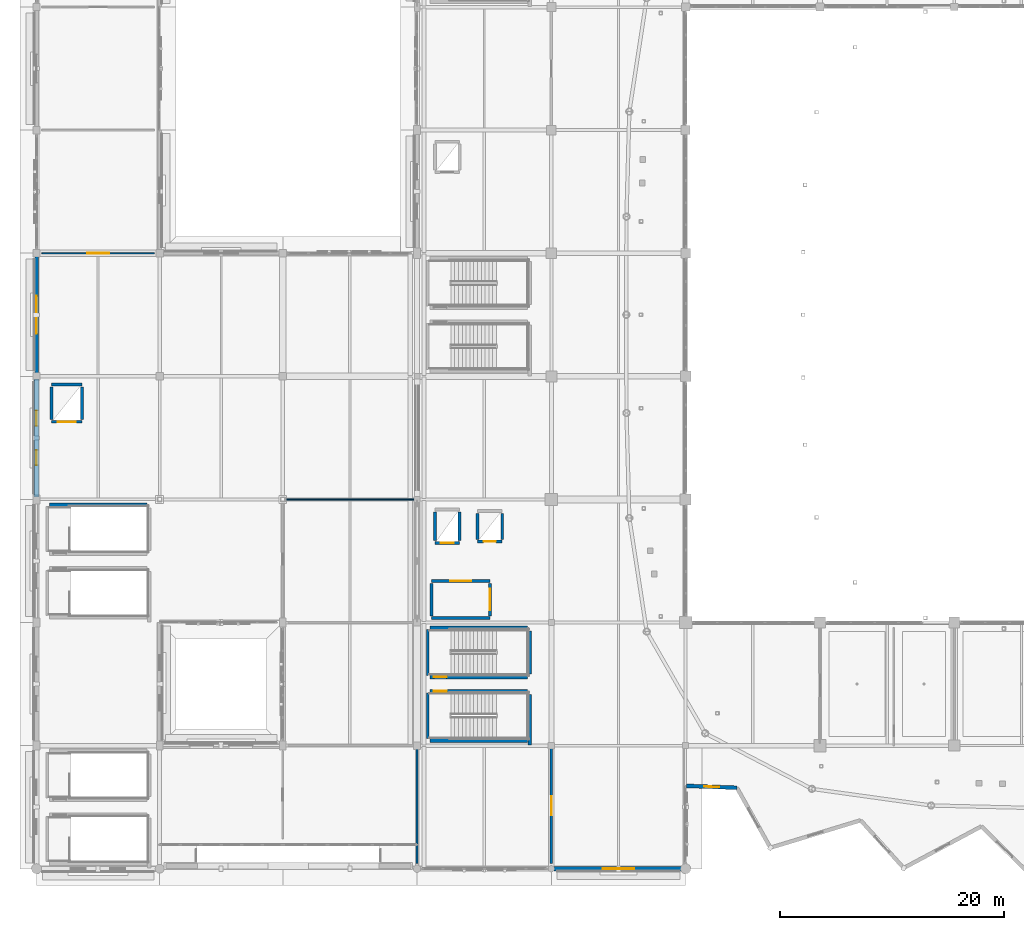
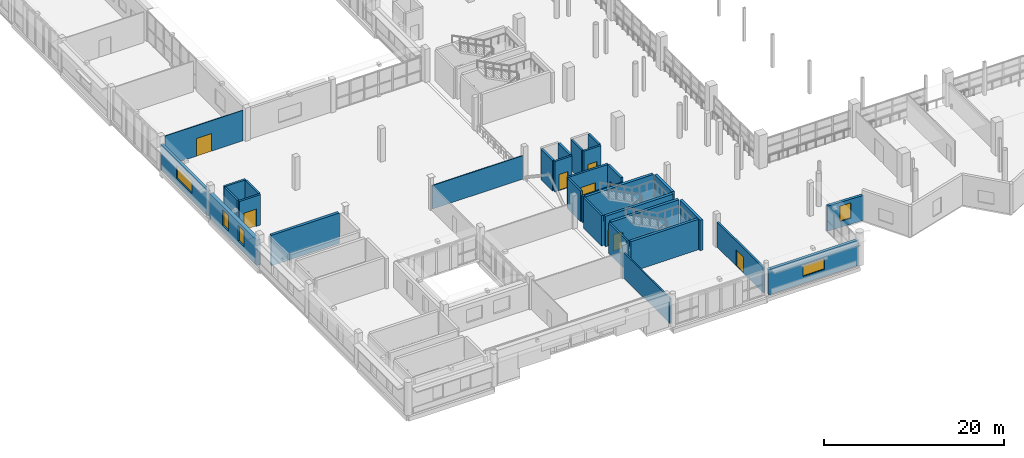
# One storey, part 80 of 118: 31 walls, 9 doors, 5 windows, 14 openings.
"""IFC4 building model written with IfcOpenShell, lengths in metres."""

from ifc_helpers import new_model, si_unit, direction, frame, frame_2d, origin, place, context, subcontext, project, spatial, rectangle, extrude, material, layer, layer_set, type_object, element, fill, save


model = new_model("IFC4")

# Units and contexts
model_context = context("Model", 3, precision=1e-05, world=origin(), true_north=direction((0.0, 1.0)))
body_context = subcontext(model_context, "Body", "Model", "MODEL_VIEW")
ifc_project = project(units=[si_unit("LENGTHUNIT", "METRE"), si_unit("AREAUNIT", "SQUARE_METRE"), si_unit("VOLUMEUNIT", "CUBIC_METRE"), si_unit("PLANEANGLEUNIT", "RADIAN"), si_unit("MASSUNIT", "GRAM", prefix="KILO")], contexts=[model_context])

# Site, building, storey
site_placement = place(None, origin())
site = spatial("IfcSite", under=ifc_project, at=site_placement, CompositionType="ELEMENT")
building_placement = place(site_placement, origin())
building = spatial("IfcBuilding", under=site, at=building_placement, Name="Luwafu Chhajja Arena", CompositionType="ELEMENT")
storey_placement = place(building_placement, frame((0.0, 0.0, 10.199951171875)))
storey = spatial("IfcBuildingStorey", under=building, at=storey_placement, Name="L02", CompositionType="ELEMENT", Elevation=10.199951171875)

# Wall, opening, door
ifc_material_1 = material(Name="Concrete blockwork masonry", Category="masonry")
ifc_layer_1 = layer(ifc_material_1, 0.239990234375, Name="Concrete blockwork masonry")
ifc_layer_set_1 = layer_set([ifc_layer_1], Name="Concrete blockwork masonry")
wall_type_1 = type_object("IfcWallType", Name="Compartment Masonry Partition 240", PredefinedType="PARTITIONING", material=ifc_layer_set_1)
wall_1_placement = place(storey_placement, frame((46.0, 0.47998046875, 0.0), z_axis=(0.0, 0.0, 1.0), x_axis=(0.0, 1.0, 0.0)))
wall_1 = element("IfcWall", 1, at=wall_1_placement, inside=storey, type_object=wall_type_1, Name="L02 Internal Partition 0275", PredefinedType="PARTITIONING", context=body_context, shape_type="SweptSolid", body=[
    extrude(rectangle(XDim=10.300048828125, YDim=0.239990234375, at=frame_2d((5.14990234375, 0.0))), origin(), (0.0, 0.0, 1.0), 3.39013671875),
])
opening_1_placement = place(wall_1_placement, frame((4.31005859375, 0.0, 0.0)))
opening_1 = element("IfcOpeningElement", 2, at=opening_1_placement, cuts=wall_1, Name="Opening DR-11", PredefinedType="OPENING", context=body_context, shape_type="SweptSolid", body=[
    extrude(rectangle(XDim=1.679931640625, YDim=2.199951171875, at=frame_2d((0.83984375, 1.10009765625))), frame((0.0, 0.1298828125, 0.0), z_axis=(0.0, -1.0, 0.0), x_axis=(1.0, 0.0, 0.0)), (0.0, 0.0, 1.0), 0.260009765625),
])
ifc_material_2 = material(Name="Powder-coated steel fire leaf", Category="steel")
door_type_1 = type_object("IfcDoorType", Name="DR-11", OperationType="DOUBLE_DOOR_SINGLE_SWING", PredefinedType="DOOR", material=ifc_material_2)
door_1_placement = place(opening_1_placement, origin())
door_1 = element("IfcDoor", 3, at=door_1_placement, inside=storey, type_object=door_type_1, Name="L02 Interior Door L02-D033", OperationType="DOUBLE_DOOR_SINGLE_SWING", OverallHeight=2.199951171875, OverallWidth=1.679931640625, PredefinedType="DOOR", context=body_context, shape_type="SweptSolid", body=[
    extrude(rectangle(XDim=1.679931640625, YDim=2.199951171875, at=frame_2d((0.83984375, 1.10009765625))), frame((0.0, 0.02490234375, 0.0), z_axis=(0.0, -1.0, 0.0), x_axis=(1.0, 0.0, 0.0)), (0.0, 0.0, 1.0), 0.050048828125),
])
fill(opening_1, door_1)

ifc_material_3 = material(Name="Gypsum plasterboard partition")
ifc_layer_2 = layer(ifc_material_3, 0.10009765625, Name="Gypsum plasterboard partition")
ifc_layer_set_2 = layer_set([ifc_layer_2], Name="Gypsum plasterboard partition")
wall_type_2 = type_object("IfcWallType", Name="Drywall Lining Partition 100", PredefinedType="PARTITIONING", material=ifc_layer_set_2)
wall_2_placement = place(storey_placement, frame((0.47998046875, 55.0, 0.0), z_axis=(0.0, 0.0, 1.0), x_axis=(1.0, 0.0, 0.0)))
wall_2 = element("IfcWall", 4, at=wall_2_placement, inside=storey, type_object=wall_type_2, Name="L02 Internal Partition 0268", PredefinedType="PARTITIONING", context=body_context, shape_type="SweptSolid", body=[
    extrude(rectangle(XDim=10.0400390625, YDim=0.10009765625, at=frame_2d((5.02001953125, 0.0))), origin(), (0.0, 0.0, 1.0), 4.14013671875),
])
opening_2_placement = place(wall_2_placement, frame((4.044921875, 0.0, 0.0)))
opening_2 = element("IfcOpeningElement", 5, at=opening_2_placement, cuts=wall_2, Name="Opening DR-25", PredefinedType="OPENING", context=body_context, shape_type="SweptSolid", body=[
    extrude(rectangle(XDim=1.949951171875, YDim=2.39990234375, at=frame_2d((0.97509765625, 1.199951171875))), frame((0.0, 0.06005859375, 0.0), z_axis=(0.0, -1.0, 0.0), x_axis=(1.0, 0.0, 0.0)), (0.0, 0.0, 1.0), 0.1201171875),
])
ifc_material_4 = material(Name="Anodised bronze glazed double door")
door_type_2 = type_object("IfcDoorType", Name="DR-25", OperationType="DOUBLE_DOOR_SINGLE_SWING", PredefinedType="DOOR", material=ifc_material_4)
door_2_placement = place(opening_2_placement, origin())
door_2 = element("IfcDoor", 6, at=door_2_placement, inside=storey, type_object=door_type_2, Name="L02 Interior Door L02-D029", OperationType="DOUBLE_DOOR_SINGLE_SWING", OverallHeight=2.39990234375, OverallWidth=1.949951171875, PredefinedType="DOOR", context=body_context, shape_type="SweptSolid", body=[
    extrude(rectangle(XDim=1.949951171875, YDim=2.39990234375, at=frame_2d((0.97509765625, 1.199951171875))), frame((0.0, 0.02490234375, 0.0), z_axis=(0.0, -1.0, 0.0), x_axis=(1.0, 0.0, 0.0)), (0.0, 0.0, 1.0), 0.050048828125),
])
fill(opening_2, door_2)

ifc_material_5 = material(Name="Concrete C40/50", Category="concrete")
ifc_layer_3 = layer(ifc_material_5, 0.260009765625, Name="Concrete C40/50")
ifc_layer_set_3 = layer_set([ifc_layer_3], Name="Concrete C40/50")
wall_type_3 = type_object("IfcWallType", Name="Firefighting Lobby Wall 260", PredefinedType="SOLIDWALL", material=ifc_layer_set_3)
wall_3_placement = place(storey_placement, frame((35.300048828125, 25.699951171875, 0.0), z_axis=(0.0, 0.0, 1.0), x_axis=(1.0, 0.0, 0.0)))
wall_3 = element("IfcWall", 7, at=wall_3_placement, inside=storey, type_object=wall_type_3, Name="L02 Core C1 Firefighting Lobby Wall N", PredefinedType="SOLIDWALL", context=body_context, shape_type="SweptSolid", body=[
    extrude(rectangle(XDim=5.199951171875, YDim=0.260009765625, at=frame_2d((2.60009765625, 0.0))), origin(), (0.0, 0.0, 1.0), 4.14013671875),
])
opening_3_placement = place(wall_3_placement, frame((1.64990234375, 0.0, 0.0)))
opening_3 = element("IfcOpeningElement", 8, at=opening_3_placement, cuts=wall_3, Name="Opening DR-07", PredefinedType="OPENING", context=body_context, shape_type="SweptSolid", body=[
    extrude(rectangle(XDim=1.89990234375, YDim=2.199951171875, at=frame_2d((0.949951171875, 1.10009765625))), frame((0.0, 0.139892578125, 0.0), z_axis=(0.0, -1.0, 0.0), x_axis=(1.0, 0.0, 0.0)), (0.0, 0.0, 1.0), 0.280029296875),
])
ifc_material_6 = material(Name="Fire-rated hardwood and vision panel", Category="wood")
door_type_3 = type_object("IfcDoorType", Name="DR-07", OperationType="DOUBLE_DOOR_SINGLE_SWING", PredefinedType="DOOR", material=ifc_material_6)
door_3_placement = place(opening_3_placement, origin())
door_3 = element("IfcDoor", 9, at=door_3_placement, inside=storey, type_object=door_type_3, Name="L02 Firefighting Lobby C1 Door L02-D003", OperationType="DOUBLE_DOOR_SINGLE_SWING", OverallHeight=2.199951171875, OverallWidth=1.89990234375, PredefinedType="DOOR", context=body_context, shape_type="SweptSolid", body=[
    extrude(rectangle(XDim=1.89990234375, YDim=2.199951171875, at=frame_2d((0.949951171875, 1.10009765625))), frame((0.0, 0.02490234375, 0.0), z_axis=(0.0, -1.0, 0.0), x_axis=(1.0, 0.0, 0.0)), (0.0, 0.0, 1.0), 0.050048828125),
])
fill(opening_3, door_3)

# Walls
wall_4_placement = place(storey_placement, frame((35.300048828125, 22.39990234375, 0.0), z_axis=(0.0, 0.0, 1.0), x_axis=(1.0, 0.0, 0.0)))
element("IfcWall", 10, at=wall_4_placement, inside=storey, type_object=wall_type_3, Name="L02 Core C1 Firefighting Lobby Wall S", PredefinedType="SOLIDWALL", context=body_context, shape_type="SweptSolid", body=[
    extrude(rectangle(XDim=5.199951171875, YDim=0.260009765625, at=frame_2d((2.60009765625, 0.0))), origin(), (0.0, 0.0, 1.0), 3.590087890625),
])
wall_5_placement = place(storey_placement, frame((35.300048828125, 22.60009765625, 0.0), z_axis=(0.0, 0.0, 1.0), x_axis=(0.0, 1.0, 0.0)))
element("IfcWall", 11, at=wall_5_placement, inside=storey, type_object=wall_type_3, Name="L02 Core C1 Firefighting Lobby Wall W", PredefinedType="SOLIDWALL", context=body_context, shape_type="SweptSolid", body=[
    extrude(rectangle(XDim=2.89990234375, YDim=0.260009765625, at=frame_2d((1.449951171875, 0.0))), origin(), (0.0, 0.0, 1.0), 4.14013671875),
])

# Wall, opening, door
wall_6_placement = place(storey_placement, frame((40.5, 22.60009765625, 0.0), z_axis=(0.0, 0.0, 1.0), x_axis=(0.0, 1.0, 0.0)))
wall_6 = element("IfcWall", 12, at=wall_6_placement, inside=storey, type_object=wall_type_3, Name="L02 Core C1 Firefighting Lobby Wall E", PredefinedType="SOLIDWALL", context=body_context, shape_type="SweptSolid", body=[
    extrude(rectangle(XDim=2.89990234375, YDim=0.260009765625, at=frame_2d((1.449951171875, 0.0))), origin(), (0.0, 0.0, 1.0), 4.14013671875),
])
opening_4_placement = place(wall_6_placement, frame((0.5, 0.0, 0.0)))
opening_4 = element("IfcOpeningElement", 13, at=opening_4_placement, cuts=wall_6, Name="Opening DR-07", PredefinedType="OPENING", context=body_context, shape_type="SweptSolid", body=[
    extrude(rectangle(XDim=1.89990234375, YDim=2.199951171875, at=frame_2d((0.949951171875, 1.10009765625))), frame((0.0, 0.139892578125, 0.0), z_axis=(0.0, -1.0, 0.0), x_axis=(1.0, 0.0, 0.0)), (0.0, 0.0, 1.0), 0.280029296875),
])
door_4_placement = place(opening_4_placement, origin())
door_4 = element("IfcDoor", 14, at=door_4_placement, inside=storey, type_object=door_type_3, Name="L02 Firefighting Lobby C1 Door L02-D004", OperationType="DOUBLE_DOOR_SINGLE_SWING", OverallHeight=2.199951171875, OverallWidth=1.89990234375, PredefinedType="DOOR", context=body_context, shape_type="SweptSolid", body=[
    extrude(rectangle(XDim=1.89990234375, YDim=2.199951171875, at=frame_2d((0.949951171875, 1.10009765625))), frame((0.0, 0.02490234375, 0.0), z_axis=(0.0, -1.0, 0.0), x_axis=(1.0, 0.0, 0.0)), (0.0, 0.0, 1.0), 0.050048828125),
])
fill(opening_4, door_4)

# Walls
ifc_layer_4 = layer(ifc_material_1, 0.179931640625, Name="Concrete blockwork masonry")
ifc_layer_set_4 = layer_set([ifc_layer_4], Name="Concrete blockwork masonry")
wall_type_4 = type_object("IfcWallType", Name="Hospitality Suite Partition 180", PredefinedType="PARTITIONING", material=ifc_layer_set_4)
wall_7_placement = place(storey_placement, frame((34.0, 0.47998046875, 0.0), z_axis=(0.0, 0.0, 1.0), x_axis=(0.0, 1.0, 0.0)))
element("IfcWall", 15, at=wall_7_placement, inside=storey, type_object=wall_type_4, Name="L02 Internal Partition 0286", PredefinedType="PARTITIONING", context=body_context, shape_type="SweptSolid", body=[
    extrude(rectangle(XDim=10.300048828125, YDim=0.179931640625, at=frame_2d((5.14990234375, 0.0))), origin(), (0.0, 0.0, 1.0), 3.405029296875),
])
ifc_material_7 = material(Name="Acoustic metal-stud gypsum board")
ifc_layer_5 = layer(ifc_material_7, 0.1201171875, Name="Acoustic metal-stud gypsum board")
ifc_layer_set_5 = layer_set([ifc_layer_5], Name="Acoustic metal-stud gypsum board")
wall_type_5 = type_object("IfcWallType", Name="Internal Room Partition 120", PredefinedType="PARTITIONING", material=ifc_layer_set_5)
wall_8_placement = place(storey_placement, frame((22.159912109375, 33.0, 0.0), z_axis=(0.0, 0.0, 1.0), x_axis=(1.0, 0.0, 0.0)))
element("IfcWall", 16, at=wall_8_placement, inside=storey, type_object=wall_type_5, Name="L02 Internal Partition 0274", PredefinedType="PARTITIONING", context=body_context, shape_type="SweptSolid", body=[
    extrude(rectangle(XDim=11.6201171875, YDim=0.1201171875, at=frame_2d((5.81005859375, 0.0))), origin(), (0.0, 0.0, 1.0), 3.18994140625),
])

# Wall, opening, door
ifc_material_8 = material(Name="Concrete C35/45", Category="concrete")
ifc_layer_6 = layer(ifc_material_8, 0.260009765625, Name="Concrete C35/45")
ifc_layer_set_6 = layer_set([ifc_layer_6], Name="Concrete C35/45")
wall_type_6 = type_object("IfcWallType", Name="Lift and Riser Shaft Wall 260", PredefinedType="SOLIDWALL", material=ifc_layer_set_6)
wall_9_placement = place(storey_placement, frame((35.590087890625, 29.114990234375, 0.0), z_axis=(0.0, 0.0, 1.0), x_axis=(1.0, 0.0, 0.0)))
wall_9 = element("IfcWall", 17, at=wall_9_placement, inside=storey, type_object=wall_type_6, Name="L02 Lift LF-01 Shaft Wall S", PredefinedType="SOLIDWALL", context=body_context, shape_type="SweptSolid", body=[
    extrude(rectangle(XDim=2.219970703125, YDim=0.260009765625, at=frame_2d((1.10986328125, 0.0))), origin(), (0.0, 0.0, 1.0), 4.14013671875),
])
opening_5_placement = place(wall_9_placement, frame((0.510009765625, 0.0, 0.0)))
opening_5 = element("IfcOpeningElement", 18, at=opening_5_placement, cuts=wall_9, Name="Opening LD-02", PredefinedType="OPENING", context=body_context, shape_type="SweptSolid", body=[
    extrude(rectangle(XDim=1.199951171875, YDim=2.199951171875, at=frame_2d((0.60009765625, 1.10009765625))), frame((0.0, 0.139892578125, 0.0), z_axis=(0.0, -1.0, 0.0), x_axis=(1.0, 0.0, 0.0)), (0.0, 0.0, 1.0), 0.280029296875),
])
ifc_material_9 = material(Name="Brushed stainless steel sliding leaves", Category="steel")
door_type_4 = type_object("IfcDoorType", Name="LD-02", OperationType="SLIDING_TO_LEFT", PredefinedType="DOOR", material=ifc_material_9)
door_5_placement = place(opening_5_placement, origin())
door_5 = element("IfcDoor", 19, at=door_5_placement, inside=storey, type_object=door_type_4, Name="L02 Lift LF-01 Landing Door L02-LD01", OperationType="SLIDING_TO_LEFT", OverallHeight=2.199951171875, OverallWidth=1.199951171875, PredefinedType="DOOR", context=body_context, shape_type="SweptSolid", body=[
    extrude(rectangle(XDim=1.199951171875, YDim=2.199951171875, at=frame_2d((0.60009765625, 1.10009765625))), frame((0.0, 0.02490234375, 0.0), z_axis=(0.0, -1.0, 0.0), x_axis=(1.0, 0.0, 0.0)), (0.0, 0.0, 1.0), 0.050048828125),
])
fill(opening_5, door_5)

# Walls
for number, where, z_axis, x_axis, name in (
    (20, (35.590087890625, 29.31494140625, 0.0), (0.0, 0.0, 1.0), (0.0, 1.0, 0.0), "L02 Lift LF-01 Shaft Wall W"),
    (21, (37.81005859375, 29.31494140625, 0.0), (0.0, 0.0, 1.0), (0.0, 1.0, 0.0), "L02 Lift LF-01 Shaft Wall E"),
):
    element("IfcWall", number, at=place(storey_placement, frame(where, z_axis=z_axis, x_axis=x_axis)), inside=storey, type_object=wall_type_6, Name=name, PredefinedType="SOLIDWALL", context=body_context, shape_type="SweptSolid", body=[
        extrude(rectangle(XDim=2.570068359375, YDim=0.260009765625, at=frame_2d((1.28515625, 0.0))), origin(), (0.0, 0.0, 1.0), 4.14013671875),
    ])

# Wall, opening, door
wall_10_placement = place(storey_placement, frame((39.389892578125, 29.239990234375, 0.0), z_axis=(0.0, 0.0, 1.0), x_axis=(1.0, 0.0, 0.0)))
wall_10 = element("IfcWall", 22, at=wall_10_placement, inside=storey, type_object=wall_type_6, Name="L02 Lift LF-05 Shaft Wall S", PredefinedType="SOLIDWALL", context=body_context, shape_type="SweptSolid", body=[
    extrude(rectangle(XDim=2.22021484375, YDim=0.260009765625, at=frame_2d((1.110107421875, 0.0))), origin(), (0.0, 0.0, 1.0), 4.14013671875),
])
opening_6_placement = place(wall_10_placement, frame((0.56005859375, 0.0, 0.0)))
opening_6 = element("IfcOpeningElement", 23, at=opening_6_placement, cuts=wall_10, Name="Opening LD-01", PredefinedType="OPENING", context=body_context, shape_type="SweptSolid", body=[
    extrude(rectangle(XDim=1.10009765625, YDim=2.14990234375, at=frame_2d((0.550048828125, 1.074951171875))), frame((0.0, 0.139892578125, 0.0), z_axis=(0.0, -1.0, 0.0), x_axis=(1.0, 0.0, 0.0)), (0.0, 0.0, 1.0), 0.280029296875),
])
door_type_5 = type_object("IfcDoorType", Name="LD-01", OperationType="SLIDING_TO_LEFT", PredefinedType="DOOR", material=ifc_material_9)
door_6_placement = place(opening_6_placement, origin())
door_6 = element("IfcDoor", 24, at=door_6_placement, inside=storey, type_object=door_type_5, Name="L02 Lift LF-05 Landing Door L02-LD02", OperationType="SLIDING_TO_LEFT", OverallHeight=2.14990234375, OverallWidth=1.10009765625, PredefinedType="DOOR", context=body_context, shape_type="SweptSolid", body=[
    extrude(rectangle(XDim=1.10009765625, YDim=2.14990234375, at=frame_2d((0.550048828125, 1.074951171875))), frame((0.0, 0.02490234375, 0.0), z_axis=(0.0, -1.0, 0.0), x_axis=(1.0, 0.0, 0.0)), (0.0, 0.0, 1.0), 0.050048828125),
])
fill(opening_6, door_6)

# Walls
for number, where, z_axis, x_axis, name in (
    (25, (39.389892578125, 29.43994140625, 0.0), (0.0, 0.0, 1.0), (0.0, 1.0, 0.0), "L02 Lift LF-05 Shaft Wall W"),
    (26, (41.610107421875, 29.43994140625, 0.0), (0.0, 0.0, 1.0), (0.0, 1.0, 0.0), "L02 Lift LF-05 Shaft Wall E"),
):
    element("IfcWall", number, at=place(storey_placement, frame(where, z_axis=z_axis, x_axis=x_axis)), inside=storey, type_object=wall_type_6, Name=name, PredefinedType="SOLIDWALL", context=body_context, shape_type="SweptSolid", body=[
        extrude(rectangle(XDim=2.320068359375, YDim=0.260009765625, at=frame_2d((1.16015625, 0.0))), origin(), (0.0, 0.0, 1.0), 4.14013671875),
    ])

# Wall, opening, door
wall_11_placement = place(storey_placement, frame((1.340087890625, 39.93994140625, 0.0), z_axis=(0.0, 0.0, 1.0), x_axis=(1.0, 0.0, 0.0)))
wall_11 = element("IfcWall", 27, at=wall_11_placement, inside=storey, type_object=wall_type_6, Name="L02 Lift LF-11 Shaft Wall S", PredefinedType="SOLIDWALL", context=body_context, shape_type="SweptSolid", body=[
    extrude(rectangle(XDim=2.719970703125, YDim=0.260009765625, at=frame_2d((1.35986328125, 0.0))), origin(), (0.0, 0.0, 1.0), 4.14013671875),
])
opening_7_placement = place(wall_11_placement, frame((0.56005859375, 0.0, 0.0)))
opening_7 = element("IfcOpeningElement", 28, at=opening_7_placement, cuts=wall_11, Name="Opening LD-03", PredefinedType="OPENING", context=body_context, shape_type="SweptSolid", body=[
    extrude(rectangle(XDim=1.60009765625, YDim=2.35009765625, at=frame_2d((0.800048828125, 1.175048828125))), frame((0.0, 0.139892578125, 0.0), z_axis=(0.0, -1.0, 0.0), x_axis=(1.0, 0.0, 0.0)), (0.0, 0.0, 1.0), 0.280029296875),
])
door_type_6 = type_object("IfcDoorType", Name="LD-03", OperationType="DOUBLE_DOOR_SLIDING", PredefinedType="DOOR", material=ifc_material_9)
door_7_placement = place(opening_7_placement, origin())
door_7 = element("IfcDoor", 29, at=door_7_placement, inside=storey, type_object=door_type_6, Name="L02 Lift LF-11 Landing Door L02-LD11", OperationType="DOUBLE_DOOR_SLIDING", OverallHeight=2.35009765625, OverallWidth=1.60009765625, PredefinedType="DOOR", context=body_context, shape_type="SweptSolid", body=[
    extrude(rectangle(XDim=1.60009765625, YDim=2.35009765625, at=frame_2d((0.800048828125, 1.175048828125))), frame((0.0, 0.02490234375, 0.0), z_axis=(0.0, -1.0, 0.0), x_axis=(1.0, 0.0, 0.0)), (0.0, 0.0, 1.0), 0.050048828125),
])
fill(opening_7, door_7)

# Walls
wall_12_placement = place(storey_placement, frame((1.340087890625, 43.260009765625, 0.0), z_axis=(0.0, 0.0, 1.0), x_axis=(1.0, 0.0, 0.0)))
element("IfcWall", 30, at=wall_12_placement, inside=storey, type_object=wall_type_6, Name="L02 Lift LF-11 Shaft Wall N", PredefinedType="SOLIDWALL", context=body_context, shape_type="SweptSolid", body=[
    extrude(rectangle(XDim=2.719970703125, YDim=0.260009765625, at=frame_2d((1.35986328125, 0.0))), origin(), (0.0, 0.0, 1.0), 4.14013671875),
])
for number, where, z_axis, x_axis, name in (
    (31, (1.340087890625, 40.139892578125, 0.0), (0.0, 0.0, 1.0), (0.0, 1.0, 0.0), "L02 Lift LF-11 Shaft Wall W"),
    (32, (4.06005859375, 40.139892578125, 0.0), (0.0, 0.0, 1.0), (0.0, 1.0, 0.0), "L02 Lift LF-11 Shaft Wall E"),
):
    element("IfcWall", number, at=place(storey_placement, frame(where, z_axis=z_axis, x_axis=x_axis)), inside=storey, type_object=wall_type_6, Name=name, PredefinedType="SOLIDWALL", context=body_context, shape_type="SweptSolid", body=[
        extrude(rectangle(XDim=2.920166015625, YDim=0.260009765625, at=frame_2d((1.4599609375, 0.0))), origin(), (0.0, 0.0, 1.0), 4.14013671875),
    ])

# Wall, opening, window
ifc_material_10 = material(Name="Precast concrete C40/50", Category="concrete")
ifc_layer_7 = layer(ifc_material_10, 0.340087890625, Name="Precast concrete C40/50")
ifc_layer_set_7 = layer_set([ifc_layer_7], Name="Precast concrete C40/50")
wall_type_7 = type_object("IfcWallType", Name="Pleated Bowl V-Fold Wall 340", PredefinedType="USERDEFINED", material=ifc_layer_set_7)
wall_13_placement = place(storey_placement, frame((58.080078125, 7.405517578125, 0.0), z_axis=(0.0, 0.0, 1.0), x_axis=(0.999296191983, -0.037511607381, 0.0)))
wall_13 = element("IfcWall", 33, at=wall_13_placement, inside=storey, type_object=wall_type_7, Name="L02 Pleated Bowl V-Fold Wall 41", ObjectType="PLEATED FACADE WALL", PredefinedType="USERDEFINED", context=body_context, shape_type="SweptSolid", body=[
    extrude(rectangle(XDim=4.497314453125, YDim=0.340087890625, at=frame_2d((2.24853515625, 0.0))), origin(), (0.0, 0.0, 1.0), 3.405029296875),
])
opening_8_placement = place(wall_13_placement, frame((1.573486328125, 0.0, 0.800048828125)))
opening_8 = element("IfcOpeningElement", 34, at=opening_8_placement, cuts=wall_13, Name="Opening WN-17", PredefinedType="OPENING", context=body_context, shape_type="SweptSolid", body=[
    extrude(rectangle(XDim=1.35009765625, YDim=2.10009765625, at=frame_2d((0.675048828125, 1.050048828125))), frame((0.0, 0.179931640625, 0.0), z_axis=(0.0, -1.0, 0.0), x_axis=(1.0, 0.0, 0.0)), (0.0, 0.0, 1.0), 0.360107421875),
])
ifc_material_11 = material(Name="Solar-control laminated glass", Category="glass")
window_type_1 = type_object("IfcWindowType", Name="Exhibition Mezzanine Lancet Window 1350x2100", PartitioningType="SINGLE_PANEL", PredefinedType="WINDOW", material=ifc_material_11)
window_1_placement = place(opening_8_placement, origin())
window_1 = element("IfcWindow", 35, at=window_1_placement, inside=storey, type_object=window_type_1, Name="L02 Pleated Bowl Lancet Window 019", OverallHeight=2.10009765625, OverallWidth=1.35009765625, PartitioningType="SINGLE_PANEL", PredefinedType="WINDOW", context=body_context, shape_type="SweptSolid", body=[
    extrude(rectangle(XDim=1.35009765625, YDim=2.10009765625, at=frame_2d((0.675048828125, 1.050048828125))), frame((0.0, 0.030029296875, 0.0), z_axis=(0.0, -1.0, 0.0), x_axis=(1.0, 0.0, 0.0)), (0.0, 0.0, 1.0), 0.06005859375),
])
fill(opening_8, window_1)

# Walls
ifc_layer_8 = layer(ifc_material_5, 0.35009765625, Name="Concrete C40/50")
ifc_layer_set_8 = layer_set([ifc_layer_8], Name="Concrete C40/50")
wall_type_8 = type_object("IfcWallType", Name="RC Core Shear Wall 350", PredefinedType="SOLIDWALL", material=ifc_layer_set_8)
wall_14_placement = place(storey_placement, frame((44.072021484375, 11.050048828125, 0.0), z_axis=(0.0, 0.0, 1.0), x_axis=(0.0, 1.0, 0.0)))
element("IfcWall", 36, at=wall_14_placement, inside=storey, type_object=wall_type_8, Name="L02 Stair ST-01 Core Shear Wall E", PredefinedType="SOLIDWALL", context=body_context, shape_type="SweptSolid", body=[
    extrude(rectangle(XDim=4.5400390625, YDim=0.35009765625, at=frame_2d((2.27001953125, 0.0))), origin(), (0.0, 0.0, 1.0), 4.14013671875),
])
wall_15_placement = place(storey_placement, frame((35.14990234375, 11.47802734375, 0.0), z_axis=(0.0, 0.0, 1.0), x_axis=(1.0, 0.0, 0.0)))
element("IfcWall", 37, at=wall_15_placement, inside=storey, type_object=wall_type_8, Name="L02 Stair ST-01 Core Shear Wall S", PredefinedType="SOLIDWALL", context=body_context, shape_type="SweptSolid", body=[
    extrude(rectangle(XDim=8.7001953125, YDim=0.35009765625, at=frame_2d((4.35009765625, 0.0))), origin(), (0.0, 0.0, 1.0), 4.14013671875),
])

# Wall, opening, door
wall_16_placement = place(storey_placement, frame((35.14990234375, 15.862060546875, 0.0), z_axis=(0.0, 0.0, 1.0), x_axis=(1.0, 0.0, 0.0)))
wall_16 = element("IfcWall", 38, at=wall_16_placement, inside=storey, type_object=wall_type_8, Name="L02 Stair ST-01 Core Shear Wall N", PredefinedType="SOLIDWALL", context=body_context, shape_type="SweptSolid", body=[
    extrude(rectangle(XDim=8.7001953125, YDim=0.35009765625, at=frame_2d((4.35009765625, 0.0))), origin(), (0.0, 0.0, 1.0), 4.14013671875),
])
opening_9_placement = place(wall_16_placement, frame((0.35009765625, 0.0, 0.0)))
opening_9 = element("IfcOpeningElement", 39, at=opening_9_placement, cuts=wall_16, Name="Opening DR-06", PredefinedType="OPENING", context=body_context, shape_type="SweptSolid", body=[
    extrude(rectangle(XDim=1.14990234375, YDim=2.199951171875, at=frame_2d((0.574951171875, 1.10009765625))), frame((0.0, 0.18505859375, 0.0), z_axis=(0.0, -1.0, 0.0), x_axis=(1.0, 0.0, 0.0)), (0.0, 0.0, 1.0), 0.3701171875),
])
ifc_material_12 = material(Name="Fire-rated hardwood and steel core", Category="steel")
door_type_7 = type_object("IfcDoorType", Name="DR-06", OperationType="NOTDEFINED", PredefinedType="DOOR", material=ifc_material_12)
door_8_placement = place(opening_9_placement, origin())
door_8 = element("IfcDoor", 40, at=door_8_placement, inside=storey, type_object=door_type_7, Name="L02 Escape Stair ST-01 Fire Door L02-D001", OperationType="SINGLE_SWING_RIGHT", OverallHeight=2.199951171875, OverallWidth=1.14990234375, PredefinedType="DOOR", context=body_context, shape_type="SweptSolid", body=[
    extrude(rectangle(XDim=1.14990234375, YDim=2.199951171875, at=frame_2d((0.574951171875, 1.10009765625))), frame((0.0, 0.02490234375, 0.0), z_axis=(0.0, -1.0, 0.0), x_axis=(1.0, 0.0, 0.0)), (0.0, 0.0, 1.0), 0.050048828125),
])
fill(opening_9, door_8)

# Wall
wall_17_placement = place(storey_placement, frame((44.072021484375, 17.409912109375, 0.0), z_axis=(0.0, 0.0, 1.0), x_axis=(0.0, 1.0, 0.0)))
element("IfcWall", 41, at=wall_17_placement, inside=storey, type_object=wall_type_8, Name="L02 Stair ST-02 Core Shear Wall E", PredefinedType="SOLIDWALL", context=body_context, shape_type="SweptSolid", body=[
    extrude(rectangle(XDim=3.840087890625, YDim=0.35009765625, at=frame_2d((1.919921875, 0.0))), origin(), (0.0, 0.0, 1.0), 4.14013671875),
])

# Wall, opening, door
wall_18_placement = place(storey_placement, frame((35.14990234375, 17.137939453125, 0.0), z_axis=(0.0, 0.0, 1.0), x_axis=(1.0, 0.0, 0.0)))
wall_18 = element("IfcWall", 42, at=wall_18_placement, inside=storey, type_object=wall_type_8, Name="L02 Stair ST-02 Core Shear Wall S", PredefinedType="SOLIDWALL", context=body_context, shape_type="SweptSolid", body=[
    extrude(rectangle(XDim=8.7001953125, YDim=0.35009765625, at=frame_2d((4.35009765625, 0.0))), origin(), (0.0, 0.0, 1.0), 4.14013671875),
])
opening_10_placement = place(wall_18_placement, frame((0.35009765625, 0.0, 0.0)))
opening_10 = element("IfcOpeningElement", 43, at=opening_10_placement, cuts=wall_18, Name="Opening DR-06", PredefinedType="OPENING", context=body_context, shape_type="SweptSolid", body=[
    extrude(rectangle(XDim=1.14990234375, YDim=2.199951171875, at=frame_2d((0.574951171875, 1.10009765625))), frame((0.0, 0.18505859375, 0.0), z_axis=(0.0, -1.0, 0.0), x_axis=(1.0, 0.0, 0.0)), (0.0, 0.0, 1.0), 0.3701171875),
])
door_9_placement = place(opening_10_placement, origin())
door_9 = element("IfcDoor", 44, at=door_9_placement, inside=storey, type_object=door_type_7, Name="L02 Escape Stair ST-02 Fire Door L02-D002", OperationType="SINGLE_SWING_LEFT", OverallHeight=2.199951171875, OverallWidth=1.14990234375, PredefinedType="DOOR", context=body_context, shape_type="SweptSolid", body=[
    extrude(rectangle(XDim=1.14990234375, YDim=2.199951171875, at=frame_2d((0.574951171875, 1.10009765625))), frame((0.0, 0.02490234375, 0.0), z_axis=(0.0, -1.0, 0.0), x_axis=(1.0, 0.0, 0.0)), (0.0, 0.0, 1.0), 0.050048828125),
])
fill(opening_10, door_9)

# Walls
for number, where, z_axis, x_axis, name in (
    (45, (35.14990234375, 21.52197265625, 0.0), (0.0, 0.0, 1.0), (1.0, 0.0, 0.0), "L02 Stair ST-02 Core Shear Wall N"),
    (46, (1.14990234375, 32.52197265625, 0.0), (0.0, 0.0, 1.0), (1.0, 0.0, 0.0), "L02 Stair ST-14 Core Shear Wall N"),
):
    element("IfcWall", number, at=place(storey_placement, frame(where, z_axis=z_axis, x_axis=x_axis)), inside=storey, type_object=wall_type_8, Name=name, PredefinedType="SOLIDWALL", context=body_context, shape_type="SweptSolid", body=[
        extrude(rectangle(XDim=8.7001953125, YDim=0.35009765625, at=frame_2d((4.35009765625, 0.0))), origin(), (0.0, 0.0, 1.0), 4.14013671875),
    ])

# Wall, openings, windows
ifc_layer_9 = layer(ifc_material_5, 0.449951171875, Name="Concrete C40/50")
ifc_layer_set_9 = layer_set([ifc_layer_9], Name="Concrete C40/50")
wall_type_9 = type_object("IfcWallType", Name="RC Core Shear Wall 450", PredefinedType="SOLIDWALL", material=ifc_layer_set_9)
wall_19_placement = place(storey_placement, frame((0.0, 33.219970703125, 0.0), z_axis=(0.0, 0.0, 1.0), x_axis=(0.0, 1.0, 0.0)))
wall_19 = element("IfcWall", 47, at=wall_19_placement, inside=storey, type_object=wall_type_9, Name="L02 Exterior Wall WEX-L02-150", PredefinedType="SOLIDWALL", context=body_context, shape_type="SweptSolid", body=[
    extrude(rectangle(XDim=10.56005859375, YDim=0.449951171875, at=frame_2d((5.280029296875, 0.0))), origin(), (0.0, 0.0, 1.0), 3.405029296875),
])
opening_11_placement = place(wall_19_placement, frame((2.844970703125, 0.0, 0.800048828125)))
opening_11 = element("IfcOpeningElement", 48, at=opening_11_placement, cuts=wall_19, Name="Opening WN-17", PredefinedType="OPENING", context=body_context, shape_type="SweptSolid", body=[
    extrude(rectangle(XDim=1.35009765625, YDim=2.10009765625, at=frame_2d((0.675048828125, 1.050048828125))), frame((0.0, 0.23486328125, 0.0), z_axis=(0.0, -1.0, 0.0), x_axis=(1.0, 0.0, 0.0)), (0.0, 0.0, 1.0), 0.469970703125),
])
opening_12_placement = place(wall_19_placement, frame((6.364990234375, 0.0, 0.800048828125)))
opening_12 = element("IfcOpeningElement", 49, at=opening_12_placement, cuts=wall_19, Name="Opening WN-17", PredefinedType="OPENING", context=body_context, shape_type="SweptSolid", body=[
    extrude(rectangle(XDim=1.35009765625, YDim=2.10009765625, at=frame_2d((0.675048828125, 1.050048828125))), frame((0.0, 0.23486328125, 0.0), z_axis=(0.0, -1.0, 0.0), x_axis=(1.0, 0.0, 0.0)), (0.0, 0.0, 1.0), 0.469970703125),
])
window_2_placement = place(opening_11_placement, origin())
window_2 = element("IfcWindow", 50, at=window_2_placement, inside=storey, type_object=window_type_1, Name="L02 Facade Window 078", OverallHeight=2.10009765625, OverallWidth=1.35009765625, PartitioningType="SINGLE_PANEL", PredefinedType="WINDOW", context=body_context, shape_type="SweptSolid", body=[
    extrude(rectangle(XDim=1.35009765625, YDim=2.10009765625, at=frame_2d((0.675048828125, 1.050048828125))), frame((0.0, 0.030029296875, 0.0), z_axis=(0.0, -1.0, 0.0), x_axis=(1.0, 0.0, 0.0)), (0.0, 0.0, 1.0), 0.06005859375),
])
fill(opening_11, window_2)
window_3_placement = place(opening_12_placement, origin())
window_3 = element("IfcWindow", 51, at=window_3_placement, inside=storey, type_object=window_type_1, Name="L02 Facade Window 079", OverallHeight=2.10009765625, OverallWidth=1.35009765625, PartitioningType="SINGLE_PANEL", PredefinedType="WINDOW", context=body_context, shape_type="SweptSolid", body=[
    extrude(rectangle(XDim=1.35009765625, YDim=2.10009765625, at=frame_2d((0.675048828125, 1.050048828125))), frame((0.0, 0.030029296875, 0.0), z_axis=(0.0, -1.0, 0.0), x_axis=(1.0, 0.0, 0.0)), (0.0, 0.0, 1.0), 0.06005859375),
])
fill(opening_12, window_3)

# Wall, opening, window
ifc_layer_10 = layer(ifc_material_8, 0.320068359375, Name="Concrete C35/45")
ifc_layer_set_10 = layer_set([ifc_layer_10], Name="Concrete C35/45")
wall_type_10 = type_object("IfcWallType", Name="Sandstone Backed Exterior Wall 320", PredefinedType="SOLIDWALL", material=ifc_layer_set_10)
wall_20_placement = place(storey_placement, frame((0.0, 44.219970703125, 0.0), z_axis=(0.0, 0.0, 1.0), x_axis=(0.0, 1.0, 0.0)))
wall_20 = element("IfcWall", 52, at=wall_20_placement, inside=storey, type_object=wall_type_10, Name="L02 Exterior Wall WEX-L02-151", PredefinedType="SOLIDWALL", context=body_context, shape_type="SweptSolid", body=[
    extrude(rectangle(XDim=10.56005859375, YDim=0.320068359375, at=frame_2d((5.280029296875, 0.0))), origin(), (0.0, 0.0, 1.0), 3.405029296875),
])
opening_13_placement = place(wall_20_placement, frame((3.580078125, 0.0, 0.89990234375)))
opening_13 = element("IfcOpeningElement", 53, at=opening_13_placement, cuts=wall_20, Name="Opening WN-18", PredefinedType="OPENING", context=body_context, shape_type="SweptSolid", body=[
    extrude(rectangle(XDim=3.39990234375, YDim=1.75, at=frame_2d((1.699951171875, 0.875))), frame((0.0, 0.169921875, 0.0), z_axis=(0.0, -1.0, 0.0), x_axis=(1.0, 0.0, 0.0)), (0.0, 0.0, 1.0), 0.340087890625),
])
window_type_2 = type_object("IfcWindowType", Name="VIP Dining Panoramic Window 3400x1750", PartitioningType="SINGLE_PANEL", PredefinedType="WINDOW", material=ifc_material_11)
window_4_placement = place(opening_13_placement, origin())
window_4 = element("IfcWindow", 54, at=window_4_placement, inside=storey, type_object=window_type_2, Name="L02 Facade Window 080", OverallHeight=1.75, OverallWidth=3.39990234375, PartitioningType="SINGLE_PANEL", PredefinedType="WINDOW", context=body_context, shape_type="SweptSolid", body=[
    extrude(rectangle(XDim=3.39990234375, YDim=1.75, at=frame_2d((1.699951171875, 0.875))), frame((0.0, 0.030029296875, 0.0), z_axis=(0.0, -1.0, 0.0), x_axis=(1.0, 0.0, 0.0)), (0.0, 0.0, 1.0), 0.06005859375),
])
fill(opening_13, window_4)

ifc_layer_11 = layer(ifc_material_8, 0.360107421875, Name="Concrete C35/45")
ifc_layer_set_11 = layer_set([ifc_layer_11], Name="Concrete C35/45")
wall_type_11 = type_object("IfcWallType", Name="Sandstone Backed Exterior Wall 360", PredefinedType="SOLIDWALL", material=ifc_layer_set_11)
wall_21_placement = place(storey_placement, frame((46.219970703125, 0.0, 0.0), z_axis=(0.0, 0.0, 1.0), x_axis=(1.0, 0.0, 0.0)))
wall_21 = element("IfcWall", 55, at=wall_21_placement, inside=storey, type_object=wall_type_11, Name="L02 Exterior Wall WEX-L02-162", PredefinedType="SOLIDWALL", context=body_context, shape_type="SweptSolid", body=[
    extrude(rectangle(XDim=11.56005859375, YDim=0.360107421875, at=frame_2d((5.780029296875, 0.0))), origin(), (0.0, 0.0, 1.0), 3.405029296875),
])
opening_14_placement = place(wall_21_placement, frame((4.3798828125, 0.0, 0.949951171875)))
opening_14 = element("IfcOpeningElement", 56, at=opening_14_placement, cuts=wall_21, Name="Opening WN-12", PredefinedType="OPENING", context=body_context, shape_type="SweptSolid", body=[
    extrude(rectangle(XDim=2.800048828125, YDim=1.5, at=frame_2d((1.39990234375, 0.75))), frame((0.0, 0.18994140625, 0.0), z_axis=(0.0, -1.0, 0.0), x_axis=(1.0, 0.0, 0.0)), (0.0, 0.0, 1.0), 0.380126953125),
])
window_type_3 = type_object("IfcWindowType", Name="Media Press Room Ribbon Window 2800x1500", PartitioningType="SINGLE_PANEL", PredefinedType="WINDOW", material=ifc_material_11)
window_5_placement = place(opening_14_placement, origin())
window_5 = element("IfcWindow", 57, at=window_5_placement, inside=storey, type_object=window_type_3, Name="L02 Facade Window 096", OverallHeight=1.5, OverallWidth=2.800048828125, PartitioningType="SINGLE_PANEL", PredefinedType="WINDOW", context=body_context, shape_type="SweptSolid", body=[
    extrude(rectangle(XDim=2.800048828125, YDim=1.5, at=frame_2d((1.39990234375, 0.75))), frame((0.0, 0.030029296875, 0.0), z_axis=(0.0, -1.0, 0.0), x_axis=(1.0, 0.0, 0.0)), (0.0, 0.0, 1.0), 0.06005859375),
])
fill(opening_14, window_5)

# Walls
ifc_layer_12 = layer(ifc_material_8, 0.22998046875, Name="Concrete C35/45")
ifc_layer_set_12 = layer_set([ifc_layer_12], Name="Concrete C35/45")
wall_type_12 = type_object("IfcWallType", Name="Stair Enclosure Wall 230", PredefinedType="SOLIDWALL", material=ifc_layer_set_12)
for number, where, z_axis, x_axis, name in (
    (58, (34.9599609375, 11.6298828125, 0.0), (0.0, 0.0, 1.0), (0.0, 1.0, 0.0), "L02 Stair ST-01 Enclosure Wall W"),
    (59, (34.9599609375, 17.2900390625, 0.0), (0.0, 0.0, 1.0), (0.0, 1.0, 0.0), "L02 Stair ST-02 Enclosure Wall W"),
):
    element("IfcWall", number, at=place(storey_placement, frame(where, z_axis=z_axis, x_axis=x_axis)), inside=storey, type_object=wall_type_12, Name=name, PredefinedType="SOLIDWALL", context=body_context, shape_type="SweptSolid", body=[
        extrude(rectangle(XDim=4.080078125, YDim=0.22998046875, at=frame_2d((2.0400390625, 0.0))), origin(), (0.0, 0.0, 1.0), 4.14013671875),
    ])

save(model, "model.ifc")
